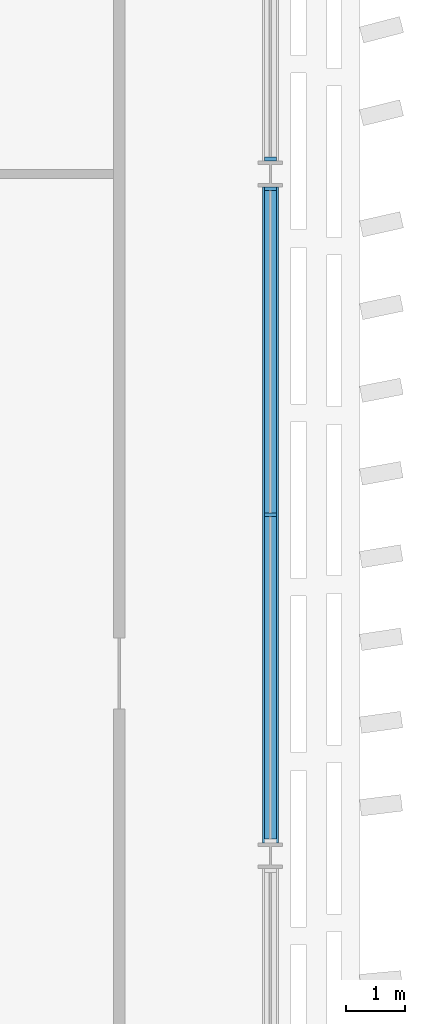
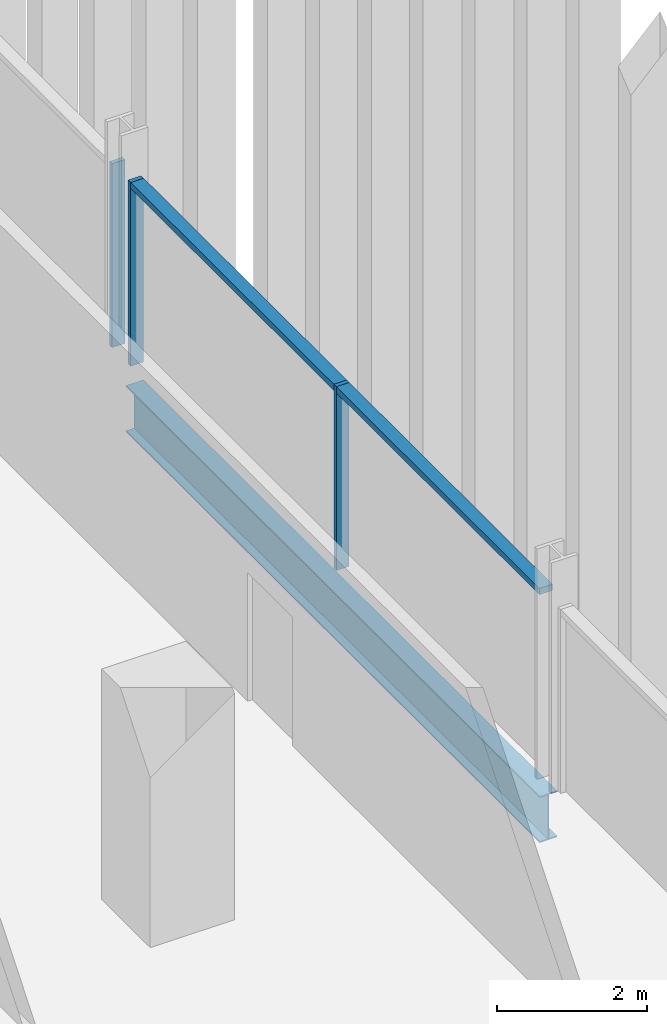
# One storey, part 9 of 32: 5 members, 1 beam, 2 elements without a shape of their own.
"""IFC4 building model written with IfcOpenShell, lengths in metres."""

from ifc_helpers import new_model, si_unit, direction, frame, origin, origin_2d, place, context, subcontext, project, spatial, rectangle, i_section, extrude, material, material_profile, profile_set, type_object, element, aggregate, save


model = new_model("IFC4")

# Units and contexts
model_context = context("Model", 3, precision=1e-05, world=origin(), true_north=direction((0.0, 1.0)))
body_context = subcontext(model_context, "Body", "Model", "MODEL_VIEW")
ifc_project = project(units=[si_unit("LENGTHUNIT", "METRE"), si_unit("AREAUNIT", "SQUARE_METRE"), si_unit("VOLUMEUNIT", "CUBIC_METRE"), si_unit("PLANEANGLEUNIT", "RADIAN"), si_unit("MASSUNIT", "GRAM", prefix="KILO")], contexts=[model_context])

# Site, building, storey
site_placement = place(None, origin())
site = spatial("IfcSite", under=ifc_project, at=site_placement, CompositionType="ELEMENT")
building_placement = place(site_placement, origin())
building = spatial("IfcBuilding", under=site, at=building_placement, Name="Mahtab Terrace Research Tower", CompositionType="ELEMENT")
storey_placement = place(building_placement, frame((0.0, 0.0, 138.39990234375)))
storey = spatial("IfcBuildingStorey", under=building, at=storey_placement, Name="L32", CompositionType="ELEMENT", Elevation=138.39990234375)

# Curtain wall, members
ifc_material_1 = material(Name="Laboratory ribbon curtain wall")
curtain_wall_type = type_object("IfcCurtainWallType", Name="Laboratory ribbon curtain wall", PredefinedType="NOTDEFINED", material=ifc_material_1)
curtain_wall_1_placement = place(storey_placement, origin())
curtain_wall_1 = element("IfcCurtainWall", 1, at=curtain_wall_1_placement, inside=storey, type_object=curtain_wall_type, Name="EN.L32.18.37", PredefinedType="NOTDEFINED")
ifc_material_2 = material(Name="Natural anodised aluminium", Category="aluminium")
ifc_material_profile_1 = material_profile(ifc_material_2, rectangle(XDim=0.199951171875, YDim=0.06494140625, at=origin_2d()), Name="MULLION 65x200")
ifc_profile_set_1 = profile_set([ifc_material_profile_1], Name="Natural anodised aluminium")
member_type_1 = type_object("IfcMemberType", Name="Laboratory ribbon curtain wall mullion", PredefinedType="MULLION", material=ifc_profile_set_1)
member_1_placement = place(storey_placement, frame((48.0, 5.75, 0.0), z_axis=(0.0, 0.0, 1.0), x_axis=(-1.0, 0.0, 0.0)))
member_1 = element("IfcMember", 2, at=member_1_placement, type_object=member_type_1, Name="CWL-4 mullion 2", PredefinedType="MULLION", context=body_context, shape_type="SweptSolid", body=[
    extrude(rectangle(XDim=0.199951171875, YDim=0.06494140625, at=origin_2d()), origin(), (0.0, 0.0, 1.0), 3.003173828125),
])
member_2_placement = place(storey_placement, frame((48.0, 11.24951171875, 0.0), z_axis=(0.0, 0.0, 1.0), x_axis=(-1.0, 0.0, 0.0)))
member_2 = element("IfcMember", 3, at=member_2_placement, type_object=member_type_1, Name="CWL-4 mullion 3", PredefinedType="MULLION", context=body_context, shape_type="SweptSolid", body=[
    extrude(rectangle(XDim=0.199951171875, YDim=0.06494140625, at=origin_2d()), origin(), (0.0, 0.0, 1.0), 3.003173828125),
])

# Curtain wall, member
curtain_wall_2_placement = place(storey_placement, origin())
curtain_wall_2 = element("IfcCurtainWall", 4, at=curtain_wall_2_placement, inside=storey, type_object=curtain_wall_type, Name="EN.L32.18.38", PredefinedType="NOTDEFINED")
member_3_placement = place(storey_placement, frame((48.0, 11.75048828125, 0.0), z_axis=(0.0, 0.0, 1.0), x_axis=(-1.0, 0.0, 0.0)))
member_3 = element("IfcMember", 5, at=member_3_placement, type_object=member_type_1, Name="CWL-4 mullion 1", PredefinedType="MULLION", context=body_context, shape_type="SweptSolid", body=[
    extrude(rectangle(XDim=0.199951171875, YDim=0.06494140625, at=origin_2d()), origin(), (0.0, 0.0, 1.0), 3.003173828125),
])
aggregate(curtain_wall_2, [member_3])

# Member
ifc_material_profile_2 = material_profile(ifc_material_2, rectangle(XDim=0.199951171875, YDim=0.10009765625, at=origin_2d()), Name="TRANSOM 100x200")
ifc_profile_set_2 = profile_set([ifc_material_profile_2], Name="Natural anodised aluminium")
member_type_2 = type_object("IfcMemberType", Name="Laboratory ribbon curtain wall transom", PredefinedType="USERDEFINED", material=ifc_profile_set_2)
member_4_placement = place(storey_placement, frame((48.0, 0.282958984375, 2.953125), z_axis=(0.0, 1.0, 0.0), x_axis=(-1.0, 0.0, 0.0)))
member_4 = element("IfcMember", 6, at=member_4_placement, type_object=member_type_2, Name="CWL-4 transom 1", ObjectType="TRANSOM", PredefinedType="USERDEFINED", context=body_context, shape_type="SweptSolid", body=[
    extrude(rectangle(XDim=0.199951171875, YDim=0.10009765625, at=origin_2d()), origin(), (0.0, 0.0, 1.0), 5.4345703125),
])

member_5_placement = place(storey_placement, frame((48.0, 5.782470703125, 2.953125), z_axis=(0.0, 1.0, 0.0), x_axis=(-1.0, 0.0, 0.0)))
member_5 = element("IfcMember", 7, at=member_5_placement, type_object=member_type_2, Name="CWL-4 transom 2", ObjectType="TRANSOM", PredefinedType="USERDEFINED", context=body_context, shape_type="SweptSolid", body=[
    extrude(rectangle(XDim=0.199951171875, YDim=0.10009765625, at=origin_2d()), origin(), (0.0, 0.0, 1.0), 5.4345703125),
])

aggregate(curtain_wall_1, [member_1, member_2, member_4, member_5])

# Beam
ifc_material_3 = material(Name="Steel ASTM A992 Gr 50", Category="steel")
ifc_material_profile_3 = material_profile(ifc_material_3, i_section(OverallWidth=0.2666015625, OverallDepth=0.7568359375, WebThickness=0.013916015625, FlangeThickness=0.019287109375, at=origin_2d()), Name="W30X108")
ifc_profile_set_3 = profile_set([ifc_material_profile_3], Name="Steel ASTM A992 Gr 50")
beam_type = type_object("IfcBeamType", Name="W30x108 beam BS30108", PredefinedType="BEAM", material=ifc_profile_set_3)
beam_placement = place(storey_placement, frame((48.0, 0.217041015625, -0.71826171875), z_axis=(0.0, 1.0, 0.0), x_axis=(-1.0, 0.0, 0.0)))
element("IfcBeam", 8, at=beam_placement, inside=storey, type_object=beam_type, Name="Spandrel beam L32 23", PredefinedType="BEAM", context=body_context, shape_type="SweptSolid", body=[
    extrude(i_section(OverallWidth=0.2666015625, OverallDepth=0.7568359375, WebThickness=0.013916015625, FlangeThickness=0.019287109375, at=origin_2d()), origin(), (0.0, 0.0, 1.0), 11.06591796875),
])

save(model, "model.ifc")
